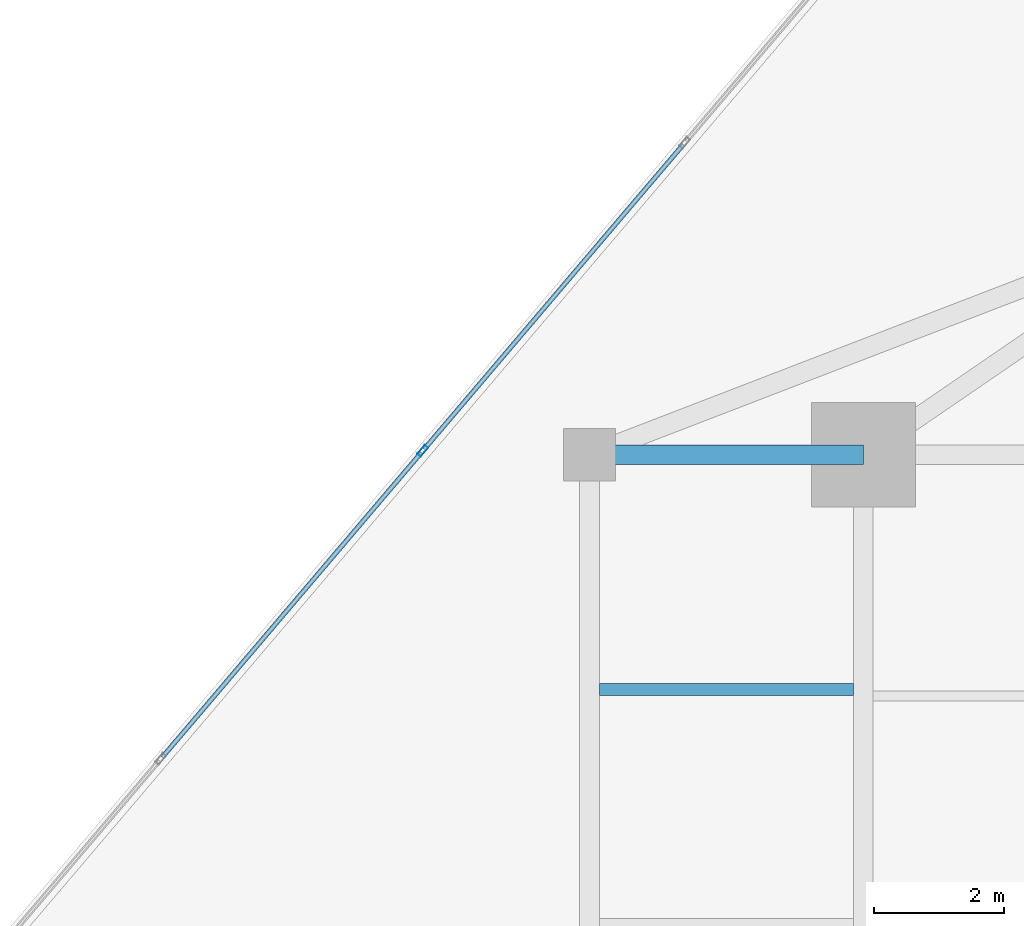
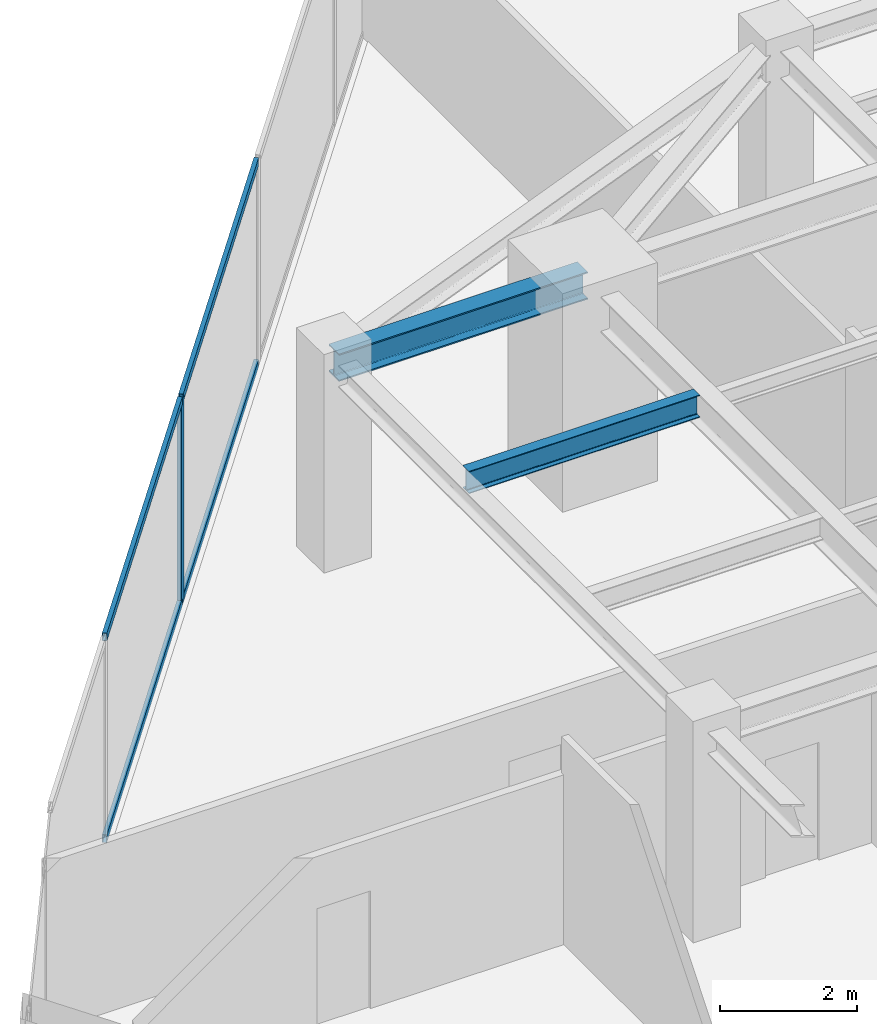
# One storey, part 14 of 26: 5 members, 2 beams, 1 element without a shape of its own.
"""IFC4 building model written with IfcOpenShell, lengths in metres."""

from ifc_helpers import new_model, si_unit, direction, frame, origin, origin_2d, place, context, subcontext, project, spatial, hollow_rectangle, i_section, extrude, source, transform, mapped, material, material_profile, profile_set, type_object, type_shapes, element, aggregate, save


model = new_model("IFC4")

# Units and contexts
model_context = context("Model", 3, precision=1e-05, world=origin(), true_north=direction((0.0, 1.0)))
body_context = subcontext(model_context, "Body", "Model", "MODEL_VIEW")
ifc_project = project(units=[si_unit("LENGTHUNIT", "METRE"), si_unit("AREAUNIT", "SQUARE_METRE"), si_unit("VOLUMEUNIT", "CUBIC_METRE"), si_unit("PLANEANGLEUNIT", "RADIAN"), si_unit("MASSUNIT", "GRAM", prefix="KILO")], contexts=[model_context])

# Site, building, storey
site_placement = place(None, origin())
site = spatial("IfcSite", under=ifc_project, at=site_placement, CompositionType="ELEMENT")
building_placement = place(site_placement, origin())
building = spatial("IfcBuilding", under=site, at=building_placement, Name="Krantzveldt Concourse Tower", CompositionType="ELEMENT")
storey_placement = place(building_placement, frame((0.0, 0.0, 207.300048828125)))
storey = spatial("IfcBuildingStorey", under=building, at=storey_placement, Name="L50", CompositionType="ELEMENT", Elevation=207.300048828125)

# Beams
ifc_material_1 = material(Name="Steel S355JR", Category="steel")
ifc_material_profile_1 = material_profile(ifc_material_1, i_section(OverallWidth=0.300048828125, OverallDepth=0.489990234375, WebThickness=0.011962890625, FlangeThickness=0.02294921875, FilletRadius=0.027099609375, at=origin_2d()), Name="Steel S355JR", Category="steel")
ifc_profile_set_1 = profile_set([ifc_material_profile_1], Name="Steel S355JR - HEA 500")
beam_type_1 = type_object("IfcBeamType", Name="BM-B-HEA500", PredefinedType="BEAM", material=ifc_profile_set_1)
shared_shape_1 = source(origin(), body_context, "Body", "SweptSolid", [
    extrude(i_section(OverallWidth=0.300048828125, OverallDepth=0.489990234375, WebThickness=0.011962890625, FlangeThickness=0.02294921875, FilletRadius=0.027099609375, at=origin_2d()), origin(), (0.0, 0.0, 1.0), 4.199951171875),
])
type_shapes(beam_type_1, [shared_shape_1])
beam_1_placement = place(storey_placement, frame((21.0, 37.5, 3.425048828125), z_axis=(1.0, 0.0, 0.0), x_axis=(0.0, 1.0, 0.0)))
element("IfcBeam", 1, at=beam_1_placement, inside=storey, type_object=beam_type_1, Name="L50 Tower Girder BR-RL3", PredefinedType="BEAM", context=body_context, shape_type="MappedRepresentation", body=[
    mapped(shared_shape_1, transform((0.0, 0.0, 0.0), x_axis=(1.0, 0.0, 0.0), y_axis=(0.0, 1.0, 0.0), z_axis=(0.0, 0.0, 1.0), scale=1.0)),
])
ifc_material_profile_2 = material_profile(ifc_material_1, i_section(OverallWidth=0.179931640625, OverallDepth=0.39990234375, WebThickness=0.008544921875, FlangeThickness=0.013427734375, FilletRadius=0.02099609375, at=origin_2d()), Name="Steel S355JR", Category="steel")
ifc_profile_set_2 = profile_set([ifc_material_profile_2], Name="Steel S355JR - IPE 400")
beam_type_2 = type_object("IfcBeamType", Name="BM-J-IPE400", PredefinedType="JOIST", material=ifc_profile_set_2)
shared_shape_2 = source(origin(), body_context, "Body", "SweptSolid", [
    extrude(i_section(OverallWidth=0.179931640625, OverallDepth=0.39990234375, WebThickness=0.008544921875, FlangeThickness=0.013427734375, FilletRadius=0.02099609375, at=origin_2d()), origin(), (0.0, 0.0, 1.0), 3.900146484375),
])
type_shapes(beam_type_2, [shared_shape_2])
beam_2_placement = place(storey_placement, frame((21.14990234375, 33.89990234375, 3.469970703125), z_axis=(1.0, 0.0, 0.0), x_axis=(0.0, 1.0, 0.0)))
element("IfcBeam", 2, at=beam_2_placement, inside=storey, type_object=beam_type_2, Name="L50 Secondary Floor Joist JW-4", PredefinedType="JOIST", context=body_context, shape_type="MappedRepresentation", body=[
    mapped(shared_shape_2, transform((0.0, 0.0, 0.0), x_axis=(1.0, 0.0, 0.0), y_axis=(0.0, 1.0, 0.0), z_axis=(0.0, 0.0, 1.0), scale=1.0)),
])

# Curtain wall, members
ifc_material_2 = material(Name="Anodised aluminium 6063-T6", Category="aluminium")
curtain_wall_type = type_object("IfcCurtainWallType", Name="CW3", PredefinedType="USERDEFINED", material=ifc_material_2)
curtain_wall_placement = place(storey_placement, origin())
curtain_wall = element("IfcCurtainWall", 3, at=curtain_wall_placement, inside=storey, type_object=curtain_wall_type, Name="CW-L50-F01", ObjectType="UNITISED CURTAIN WALL", PredefinedType="USERDEFINED")
ifc_material_profile_3 = material_profile(ifc_material_2, hollow_rectangle(XDim=0.070068359375, YDim=0.179931640625, WallThickness=0.0048828125, at=origin_2d()), Name="Anodised aluminium 6063-T6", Category="aluminium")
ifc_profile_set_3 = profile_set([ifc_material_profile_3], Name="Anodised aluminium 6063-T6 - ALU-MULL 180x70x5")
member_type_1 = type_object("IfcMemberType", Name="CW-MUL-180", PredefinedType="MULLION", material=ifc_profile_set_3)
shared_shape_3 = source(origin(), body_context, "Body", "SweptSolid", [
    extrude(hollow_rectangle(XDim=0.070068359375, YDim=0.179931640625, WallThickness=0.0048828125, at=origin_2d()), origin(), (0.0, 0.0, 1.0), 3.669921875),
])
type_shapes(member_type_1, [shared_shape_3])
member_1_placement = place(storey_placement, frame((18.443115234375, 37.559814453125, 0.0), z_axis=(0.0, 0.0, 1.0), x_axis=(0.761820912327, -0.647787694805, 0.0)))
member_1 = element("IfcMember", 4, at=member_1_placement, type_object=member_type_1, Name="CW-Z34 mullion 4", PredefinedType="MULLION", context=body_context, shape_type="MappedRepresentation", body=[
    mapped(shared_shape_3, transform((0.0, 0.0, 0.0), x_axis=(1.0, 0.0, 0.0), y_axis=(0.0, 1.0, 0.0), z_axis=(0.0, 0.0, 1.0), scale=1.0)),
])
ifc_material_profile_4 = material_profile(ifc_material_2, hollow_rectangle(XDim=0.070068359375, YDim=0.139892578125, WallThickness=0.0048828125, at=origin_2d()), Name="Anodised aluminium 6063-T6", Category="aluminium")
ifc_profile_set_4 = profile_set([ifc_material_profile_4], Name="Anodised aluminium 6063-T6 - ALU-TRAN 140x70x5")
member_type_2 = type_object("IfcMemberType", Name="CW-TRN-150", PredefinedType="USERDEFINED", material=ifc_profile_set_4)
shared_shape_4 = source(origin(), body_context, "Body", "SweptSolid", [
    extrude(hollow_rectangle(XDim=0.070068359375, YDim=0.139892578125, WallThickness=0.0048828125, at=origin_2d()), origin(), (0.0, 0.0, 1.0), 6.1298828125),
])
type_shapes(member_type_2, [shared_shape_4])
member_2_placement = place(storey_placement, frame((22.436767578125, 42.25634765625, 0.034912109375), z_axis=(-0.647791763952, -0.761817452252, 0.0), x_axis=(0.761817452252, -0.647791763952, 0.0)))
member_2 = element("IfcMember", 5, at=member_2_placement, type_object=member_type_2, Name="CW-Z34 transom 3.1", ObjectType="TRANSOM", PredefinedType="USERDEFINED", context=body_context, shape_type="MappedRepresentation", body=[
    mapped(shared_shape_4, transform((0.0, 0.0, 0.0), x_axis=(1.0, 0.0, 0.0), y_axis=(0.0, 1.0, 0.0), z_axis=(0.0, 0.0, 1.0), scale=1.0)),
])
member_3_placement = place(storey_placement, frame((22.436767578125, 42.25634765625, 3.635009765625), z_axis=(-0.647791763952, -0.761817452252, 0.0), x_axis=(0.761817452252, -0.647791763952, 0.0)))
member_3 = element("IfcMember", 6, at=member_3_placement, type_object=member_type_2, Name="CW-Z34 transom 3.2", ObjectType="TRANSOM", PredefinedType="USERDEFINED", context=body_context, shape_type="MappedRepresentation", body=[
    mapped(shared_shape_4, transform((0.0, 0.0, 0.0), x_axis=(1.0, 0.0, 0.0), y_axis=(0.0, 1.0, 0.0), z_axis=(0.0, 0.0, 1.0), scale=1.0)),
])
member_4_placement = place(storey_placement, frame((18.42041015625, 37.532958984375, 0.034912109375), z_axis=(-0.647791763952, -0.761817452252, 0.0), x_axis=(0.761817452252, -0.647791763952, 0.0)))
member_4 = element("IfcMember", 7, at=member_4_placement, type_object=member_type_2, Name="CW-Z34 transom 4.1", ObjectType="TRANSOM", PredefinedType="USERDEFINED", context=body_context, shape_type="MappedRepresentation", body=[
    mapped(shared_shape_4, transform((0.0, 0.0, 0.0), x_axis=(1.0, 0.0, 0.0), y_axis=(0.0, 1.0, 0.0), z_axis=(0.0, 0.0, 1.0), scale=1.0)),
])
member_5_placement = place(storey_placement, frame((18.42041015625, 37.532958984375, 3.635009765625), z_axis=(-0.647791763952, -0.761817452252, 0.0), x_axis=(0.761817452252, -0.647791763952, 0.0)))
member_5 = element("IfcMember", 8, at=member_5_placement, type_object=member_type_2, Name="CW-Z34 transom 4.2", ObjectType="TRANSOM", PredefinedType="USERDEFINED", context=body_context, shape_type="MappedRepresentation", body=[
    mapped(shared_shape_4, transform((0.0, 0.0, 0.0), x_axis=(1.0, 0.0, 0.0), y_axis=(0.0, 1.0, 0.0), z_axis=(0.0, 0.0, 1.0), scale=1.0)),
])
aggregate(curtain_wall, [member_1, member_2, member_3, member_4, member_5])

save(model, "model.ifc")
